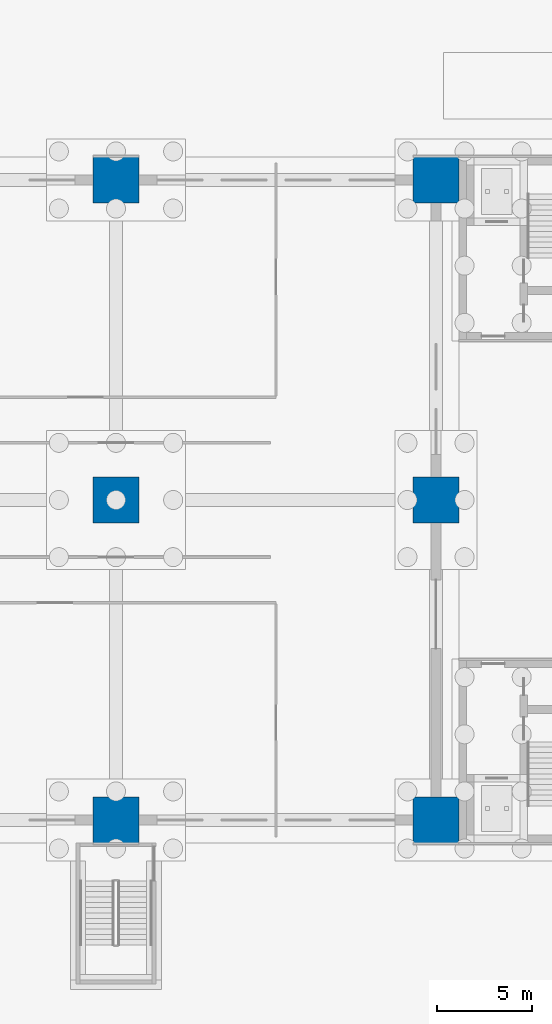
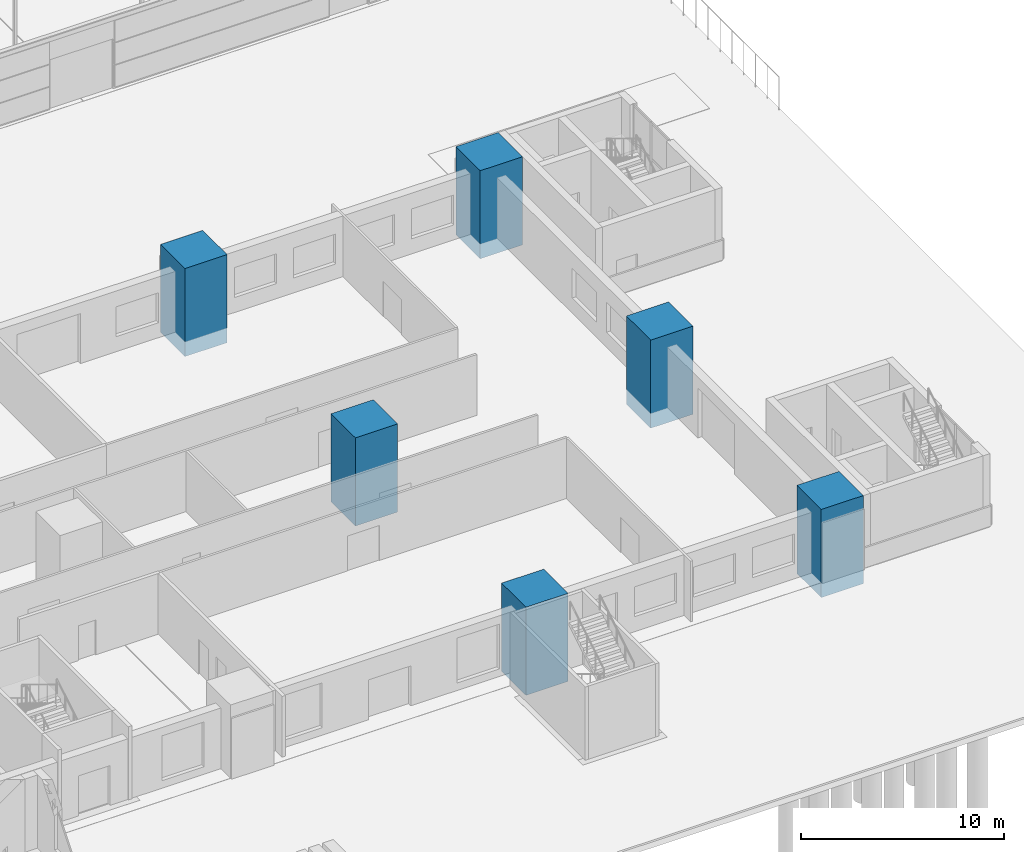
# One storey, part 21 of 139: 6 columns.
"""IFC4 building model written with IfcOpenShell, lengths in metres."""

from ifc_helpers import new_model, si_unit, direction, frame, origin, origin_2d, place, context, subcontext, project, spatial, rectangle, extrude, material, material_profile, profile_set, type_object, element, save


model = new_model("IFC4")

# Units and contexts
model_context = context("Model", 3, precision=1e-05, world=origin(), true_north=direction((0.0, 1.0)))
body_context = subcontext(model_context, "Body", "Model", "MODEL_VIEW")
ifc_project = project(units=[si_unit("LENGTHUNIT", "METRE"), si_unit("AREAUNIT", "SQUARE_METRE"), si_unit("VOLUMEUNIT", "CUBIC_METRE"), si_unit("PLANEANGLEUNIT", "RADIAN"), si_unit("MASSUNIT", "GRAM", prefix="KILO")], contexts=[model_context])

# Site, building, storey
site_placement = place(None, origin())
site = spatial("IfcSite", under=ifc_project, at=site_placement, CompositionType="ELEMENT")
building_placement = place(site_placement, origin())
building = spatial("IfcBuilding", under=site, at=building_placement, Name="Verrick Yard Athletic Hall", CompositionType="ELEMENT")
storey_placement = place(building_placement, origin())
storey = spatial("IfcBuildingStorey", under=building, at=storey_placement, Name="L00", CompositionType="ELEMENT", Elevation=0.0)

# Columns
ifc_material = material(Name="Concrete 35 MPa", Category="concrete")
ifc_material_profile = material_profile(ifc_material, rectangle(XDim=2.39990234375, YDim=2.39990234375, at=origin_2d()), Name="STR Buttress pier PR1")
ifc_profile_set = profile_set([ifc_material_profile], Name="Concrete 35 MPa")
column_type = type_object("IfcColumnType", Name="STR Buttress pier PR1", PredefinedType="COLUMN", material=ifc_profile_set)
for number, where, z_axis, x_axis, name in (
    (1, (140.800048828125, 19.199951171875, -0.89990234375), (0.0, 0.0, 1.0), (1.0, 0.0, 0.0), "Buttress pier P7A"),
    (2, (157.60009765625, 19.199951171875, -0.89990234375), (0.0, 0.0, 1.0), (1.0, 0.0, 0.0), "Buttress pier P8A"),
    (3, (140.800048828125, 36.0, -0.89990234375), (0.0, 0.0, 1.0), (1.0, 0.0, 0.0), "Buttress pier P7B"),
    (4, (157.60009765625, 36.0, -0.89990234375), (0.0, 0.0, 1.0), (1.0, 0.0, 0.0), "Buttress pier P8B"),
    (5, (140.800048828125, 52.800048828125, -0.89990234375), (0.0, 0.0, 1.0), (1.0, 0.0, 0.0), "Buttress pier P7C"),
    (6, (157.60009765625, 52.800048828125, -0.89990234375), (0.0, 0.0, 1.0), (1.0, 0.0, 0.0), "Buttress pier P8C"),
):
    element("IfcColumn", number, at=place(storey_placement, frame(where, z_axis=z_axis, x_axis=x_axis)), inside=storey, type_object=column_type, Name=name, PredefinedType="COLUMN", context=body_context, shape_type="SweptSolid", body=[
        extrude(rectangle(XDim=2.39990234375, YDim=2.39990234375, at=origin_2d()), origin(), (0.0, 0.0, 1.0), 5.2998046875),
    ])

save(model, "model.ifc")
